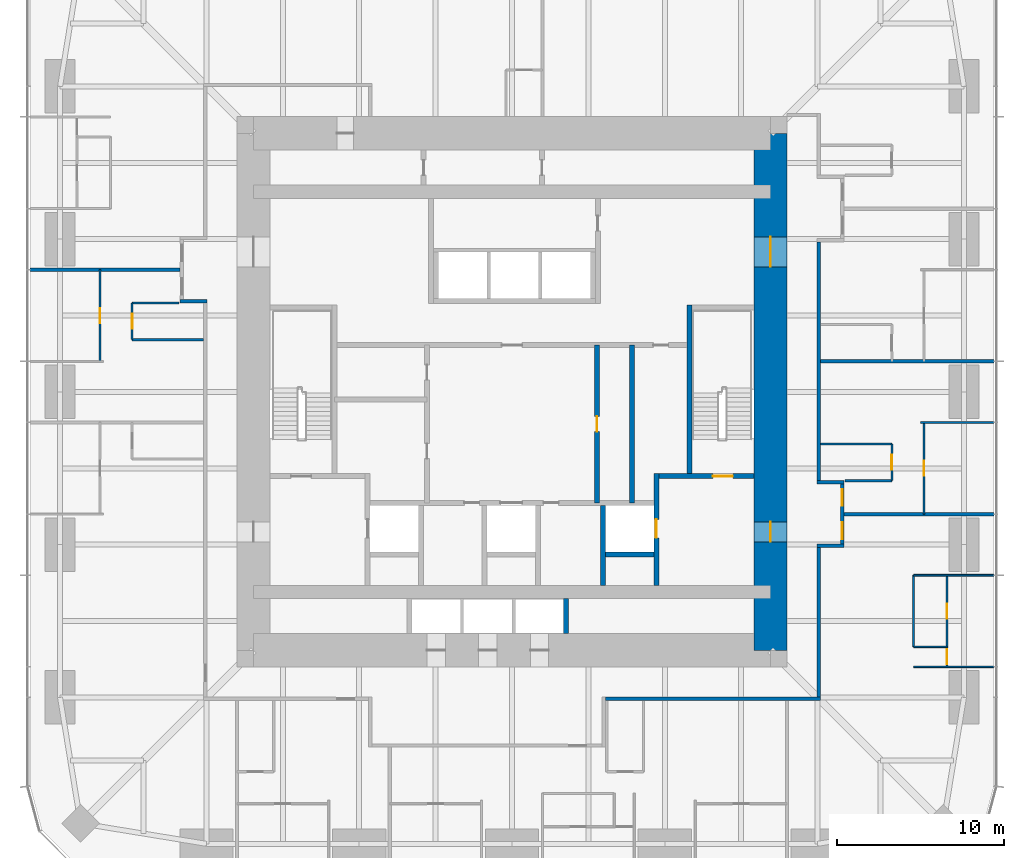
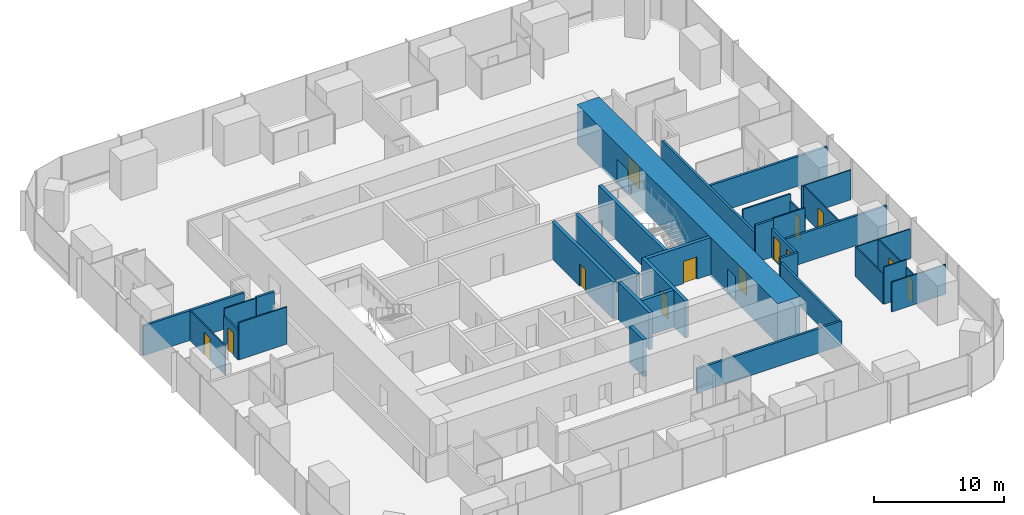
# One storey, part 10 of 13: 33 walls, 13 doors, 13 openings.
"""IFC4 building model written with IfcOpenShell, lengths in metres."""

from ifc_helpers import new_model, si_unit, direction, frame, frame_2d, origin, place, context, subcontext, project, spatial, rectangle, extrude, material, layer, layer_set, type_object, element, fill, save


model = new_model("IFC4")

# Units and contexts
model_context = context("Model", 3, precision=1e-05, world=origin(), true_north=direction((0.0, 1.0)))
body_context = subcontext(model_context, "Body", "Model", "MODEL_VIEW")
ifc_project = project(units=[si_unit("LENGTHUNIT", "METRE"), si_unit("AREAUNIT", "SQUARE_METRE"), si_unit("VOLUMEUNIT", "CUBIC_METRE"), si_unit("PLANEANGLEUNIT", "RADIAN"), si_unit("MASSUNIT", "GRAM", prefix="KILO")], contexts=[model_context])

# Site, building, storey
site_placement = place(None, origin())
site = spatial("IfcSite", under=ifc_project, at=site_placement, CompositionType="ELEMENT")
building_placement = place(site_placement, origin())
building = spatial("IfcBuilding", under=site, at=building_placement, Name="Khuree Lantern Residences", CompositionType="ELEMENT")
storey_placement = place(building_placement, frame((0.0, 0.0, 133.5)))
storey = spatial("IfcBuildingStorey", under=building, at=storey_placement, Name="L33", CompositionType="ELEMENT", Elevation=133.5)

# Wall, opening, door
ifc_material_1 = material(Name="Moisture-resistant gypsum board on steel studs", Category="steel")
ifc_layer_1 = layer(ifc_material_1, 0.125)
ifc_layer_set_1 = layer_set([ifc_layer_1], Name="BATHROOM WALL BTW125")
wall_type_1 = type_object("IfcWallType", Name="BATHROOM WALL BTW125", PredefinedType="PARTITIONING", material=ifc_layer_set_1)
wall_1_placement = place(storey_placement, frame((22.77978515625, -5.327880859375, 0.0), z_axis=(0.0, 0.0, 1.0), x_axis=(0.0, 1.0, 0.0)))
wall_1 = element("IfcWall", 1, at=wall_1_placement, inside=storey, type_object=wall_type_1, Name="L33 BATHROOM WALL 01", PredefinedType="PARTITIONING", context=body_context, shape_type="SweptSolid", body=[
    extrude(rectangle(XDim=2.199951171875, YDim=0.125, at=frame_2d((1.10009765625, 0.0))), origin(), (0.0, 0.0, 1.0), 2.81005859375),
])
opening_1_placement = place(wall_1_placement, frame((0.64990234375, 0.0, 0.0)))
opening_1 = element("IfcOpeningElement", 2, at=opening_1_placement, cuts=wall_1, Name="Opening 33-025", PredefinedType="OPENING", context=body_context, shape_type="SweptSolid", body=[
    extrude(rectangle(XDim=0.89990234375, YDim=2.10009765625, at=frame_2d((0.449951171875, 1.050048828125))), frame((0.0, 0.072509765625, 0.0), z_axis=(0.0, -1.0, 0.0), x_axis=(1.0, 0.0, 0.0)), (0.0, 0.0, 1.0), 0.14501953125),
])
ifc_material_2 = material(Name="Timber door leaf in hardwood frame", Category="wood")
door_type_1 = type_object("IfcDoorType", Name="BATHROOM DOOR 900X2100", OperationType="SINGLE_SWING_LEFT", PredefinedType="DOOR", material=ifc_material_2)
door_1_placement = place(opening_1_placement, origin())
door_1 = element("IfcDoor", 3, at=door_1_placement, inside=storey, type_object=door_type_1, Name="Bathroom door 33-025", OperationType="SINGLE_SWING_LEFT", OverallHeight=2.10009765625, OverallWidth=0.89990234375, PredefinedType="DOOR", context=body_context, shape_type="SweptSolid", body=[
    extrude(rectangle(XDim=0.89990234375, YDim=2.10009765625, at=frame_2d((0.449951171875, 1.050048828125))), frame((0.0, 0.02490234375, 0.0), z_axis=(0.0, -1.0, 0.0), x_axis=(1.0, 0.0, 0.0)), (0.0, 0.0, 1.0), 0.050048828125),
])
fill(opening_1, door_1)

# Walls
wall_2_placement = place(storey_placement, frame((19.969970703125, -5.327880859375, 0.0), z_axis=(0.0, 0.0, 1.0), x_axis=(1.0, 0.0, 0.0)))
element("IfcWall", 4, at=wall_2_placement, inside=storey, type_object=wall_type_1, Name="L33 BATHROOM WALL 01", PredefinedType="PARTITIONING", context=body_context, shape_type="SweptSolid", body=[
    extrude(rectangle(XDim=2.809814453125, YDim=0.125, at=frame_2d((1.40478515625, 0.0))), origin(), (0.0, 0.0, 1.0), 3.5),
])
wall_3_placement = place(storey_placement, frame((18.5, -3.1279296875, 0.0), z_axis=(0.0, 0.0, 1.0), x_axis=(1.0, 0.0, 0.0)))
element("IfcWall", 5, at=wall_3_placement, inside=storey, type_object=wall_type_1, Name="L33 BATHROOM WALL 01", PredefinedType="PARTITIONING", context=body_context, shape_type="SweptSolid", body=[
    extrude(rectangle(XDim=4.27978515625, YDim=0.125, at=frame_2d((2.139892578125, 0.0))), origin(), (0.0, 0.0, 1.0), 3.5),
])

# Wall, opening, door
wall_4_placement = place(storey_placement, frame((-22.77978515625, 5.327880859375, 0.0), z_axis=(0.0, 0.0, 1.0), x_axis=(0.0, -1.0, 0.0)))
wall_4 = element("IfcWall", 6, at=wall_4_placement, inside=storey, type_object=wall_type_1, Name="L33 BATHROOM WALL 05", PredefinedType="PARTITIONING", context=body_context, shape_type="SweptSolid", body=[
    extrude(rectangle(XDim=2.199951171875, YDim=0.125, at=frame_2d((1.10009765625, 0.0))), origin(), (0.0, 0.0, 1.0), 2.81005859375),
])
opening_2_placement = place(wall_4_placement, frame((0.64990234375, 0.0, 0.0)))
opening_2 = element("IfcOpeningElement", 7, at=opening_2_placement, cuts=wall_4, Name="Opening 33-041", PredefinedType="OPENING", context=body_context, shape_type="SweptSolid", body=[
    extrude(rectangle(XDim=0.89990234375, YDim=2.10009765625, at=frame_2d((0.449951171875, 1.050048828125))), frame((0.0, 0.072509765625, 0.0), z_axis=(0.0, -1.0, 0.0), x_axis=(1.0, 0.0, 0.0)), (0.0, 0.0, 1.0), 0.14501953125),
])
door_2_placement = place(opening_2_placement, origin())
door_2 = element("IfcDoor", 8, at=door_2_placement, inside=storey, type_object=door_type_1, Name="Bathroom door 33-041", OperationType="SINGLE_SWING_LEFT", OverallHeight=2.10009765625, OverallWidth=0.89990234375, PredefinedType="DOOR", context=body_context, shape_type="SweptSolid", body=[
    extrude(rectangle(XDim=0.89990234375, YDim=2.10009765625, at=frame_2d((0.449951171875, 1.050048828125))), frame((0.0, 0.02490234375, 0.0), z_axis=(0.0, -1.0, 0.0), x_axis=(1.0, 0.0, 0.0)), (0.0, 0.0, 1.0), 0.050048828125),
])
fill(opening_2, door_2)

# Walls
wall_5_placement = place(storey_placement, frame((-19.969970703125, 5.327880859375, 0.0), z_axis=(0.0, 0.0, 1.0), x_axis=(-1.0, 0.0, 0.0)))
element("IfcWall", 9, at=wall_5_placement, inside=storey, type_object=wall_type_1, Name="L33 BATHROOM WALL 05", PredefinedType="PARTITIONING", context=body_context, shape_type="SweptSolid", body=[
    extrude(rectangle(XDim=2.809814453125, YDim=0.125, at=frame_2d((1.40478515625, 0.0))), origin(), (0.0, 0.0, 1.0), 3.5),
])
wall_6_placement = place(storey_placement, frame((-18.5, 3.1279296875, 0.0), z_axis=(0.0, 0.0, 1.0), x_axis=(-1.0, 0.0, 0.0)))
element("IfcWall", 10, at=wall_6_placement, inside=storey, type_object=wall_type_1, Name="L33 BATHROOM WALL 05", PredefinedType="PARTITIONING", context=body_context, shape_type="SweptSolid", body=[
    extrude(rectangle(XDim=4.27978515625, YDim=0.125, at=frame_2d((2.139892578125, 0.0))), origin(), (0.0, 0.0, 1.0), 3.5),
])
wall_7_placement = place(storey_placement, frame((24.079833984375, -15.2880859375, 0.0), z_axis=(0.0, 0.0, 1.0), x_axis=(0.0, 1.0, 0.0)))
element("IfcWall", 11, at=wall_7_placement, inside=storey, type_object=wall_type_1, Name="L33 BATHROOM WALL 09", PredefinedType="PARTITIONING", context=body_context, shape_type="SweptSolid", body=[
    extrude(rectangle(XDim=4.296142578125, YDim=0.125, at=frame_2d((2.14794921875, 0.0))), origin(), (0.0, 0.0, 1.0), 2.81005859375),
])

# Wall, opening, door
ifc_material_3 = material(Name="Dense concrete blockwork", Category="masonry")
ifc_layer_2 = layer(ifc_material_3, 0.300048828125)
ifc_layer_set_2 = layer_set([ifc_layer_2], Name="CORE PARTITION WALL CPW300 EI 120")
wall_type_2 = type_object("IfcWallType", Name="CORE PARTITION WALL CPW300 EI 120", PredefinedType="PARTITIONING", material=ifc_layer_set_2)
wall_8_placement = place(storey_placement, frame((8.64990234375, -11.60009765625, 0.0), z_axis=(0.0, 0.0, 1.0), x_axis=(0.0, 1.0, 0.0)))
wall_8 = element("IfcWall", 12, at=wall_8_placement, inside=storey, type_object=wall_type_2, Name="L33 CORE WALL FL2E", PredefinedType="PARTITIONING", context=body_context, shape_type="SweptSolid", body=[
    extrude(rectangle(XDim=6.7001953125, YDim=0.300048828125, at=frame_2d((3.35009765625, 0.0))), origin(), (0.0, 0.0, 1.0), 3.5),
])
opening_3_placement = place(wall_8_placement, frame((2.85009765625, 0.0, 0.0)))
opening_3 = element("IfcOpeningElement", 13, at=opening_3_placement, cuts=wall_8, Name="Opening 33-008", PredefinedType="OPENING", context=body_context, shape_type="SweptSolid", body=[
    extrude(rectangle(XDim=1.10009765625, YDim=2.10009765625, at=frame_2d((0.550048828125, 1.050048828125))), frame((0.0, 0.16015625, 0.0), z_axis=(0.0, -1.0, 0.0), x_axis=(1.0, 0.0, 0.0)), (0.0, 0.0, 1.0), 0.320068359375),
])
ifc_material_4 = material(Name="Stainless steel lift landing door", Category="steel")
door_type_2 = type_object("IfcDoorType", Name="LIFT LANDING DOOR 1100X2100 E 120", OperationType="DOUBLE_DOOR_SLIDING", PredefinedType="DOOR", material=ifc_material_4)
door_3_placement = place(opening_3_placement, origin())
door_3 = element("IfcDoor", 14, at=door_3_placement, inside=storey, type_object=door_type_2, Name="Landing door FL2 33-008", OperationType="DOUBLE_DOOR_SLIDING", OverallHeight=2.10009765625, OverallWidth=1.10009765625, PredefinedType="DOOR", context=body_context, shape_type="SweptSolid", body=[
    extrude(rectangle(XDim=1.10009765625, YDim=2.10009765625, at=frame_2d((0.550048828125, 1.050048828125))), frame((0.0, 0.02490234375, 0.0), z_axis=(0.0, -1.0, 0.0), x_axis=(1.0, 0.0, 0.0)), (0.0, 0.0, 1.0), 0.050048828125),
])
fill(opening_3, door_3)

# Walls
wall_9_placement = place(storey_placement, frame((5.449951171875, -11.60009765625, 0.0), z_axis=(0.0, 0.0, 1.0), x_axis=(0.0, 1.0, 0.0)))
element("IfcWall", 15, at=wall_9_placement, inside=storey, type_object=wall_type_2, Name="L33 CORE WALL FL2W", PredefinedType="PARTITIONING", context=body_context, shape_type="SweptSolid", body=[
    extrude(rectangle(XDim=4.800048828125, YDim=0.300048828125, at=frame_2d((2.39990234375, 0.0))), origin(), (0.0, 0.0, 1.0), 3.5),
])
wall_10_placement = place(storey_placement, frame((5.60009765625, -9.75, 0.0), z_axis=(0.0, 0.0, 1.0), x_axis=(1.0, 0.0, 0.0)))
element("IfcWall", 16, at=wall_10_placement, inside=storey, type_object=wall_type_2, Name="L33 CORE WALL FL2S", PredefinedType="PARTITIONING", context=body_context, shape_type="SweptSolid", body=[
    extrude(rectangle(XDim=2.89990234375, YDim=0.300048828125, at=frame_2d((1.449951171875, 0.0))), origin(), (0.0, 0.0, 1.0), 3.5),
])
wall_11_placement = place(storey_placement, frame((3.25, -14.5, 0.0), z_axis=(0.0, 0.0, 1.0), x_axis=(0.0, 1.0, 0.0)))
element("IfcWall", 17, at=wall_11_placement, inside=storey, type_object=wall_type_2, Name="L33 CORE WALL PME", PredefinedType="PARTITIONING", context=body_context, shape_type="SweptSolid", body=[
    extrude(rectangle(XDim=2.10009765625, YDim=0.300048828125, at=frame_2d((1.050048828125, 0.0))), origin(), (0.0, 0.0, 1.0), 3.5),
])

# Wall, opening, door
wall_12_placement = place(storey_placement, frame((5.10009765625, -6.64990234375, 0.0), z_axis=(0.0, 0.0, 1.0), x_axis=(0.0, 1.0, 0.0)))
wall_12 = element("IfcWall", 18, at=wall_12_placement, inside=storey, type_object=wall_type_2, Name="L33 CORE WALL SVE", PredefinedType="PARTITIONING", context=body_context, shape_type="SweptSolid", body=[
    extrude(rectangle(XDim=9.449951171875, YDim=0.300048828125, at=frame_2d((4.72509765625, 0.0))), origin(), (0.0, 0.0, 1.0), 3.5),
])
opening_4_placement = place(wall_12_placement, frame((4.27490234375, 0.0, 0.0)))
opening_4 = element("IfcOpeningElement", 19, at=opening_4_placement, cuts=wall_12, Name="Opening 33-018", PredefinedType="OPENING", context=body_context, shape_type="SweptSolid", body=[
    extrude(rectangle(XDim=0.89990234375, YDim=2.10009765625, at=frame_2d((0.449951171875, 1.050048828125))), frame((0.0, 0.16015625, 0.0), z_axis=(0.0, -1.0, 0.0), x_axis=(1.0, 0.0, 0.0)), (0.0, 0.0, 1.0), 0.320068359375),
])
door_type_3 = type_object("IfcDoorType", Name="DOOR 900X2100", OperationType="SINGLE_SWING_LEFT", PredefinedType="DOOR", material=ifc_material_2)
door_4_placement = place(opening_4_placement, origin())
door_4 = element("IfcDoor", 20, at=door_4_placement, inside=storey, type_object=door_type_3, Name="Bulky waste store door 33-018", OperationType="SINGLE_SWING_LEFT", OverallHeight=2.10009765625, OverallWidth=0.89990234375, PredefinedType="DOOR", context=body_context, shape_type="SweptSolid", body=[
    extrude(rectangle(XDim=0.89990234375, YDim=2.10009765625, at=frame_2d((0.449951171875, 1.050048828125))), frame((0.0, 0.02490234375, 0.0), z_axis=(0.0, -1.0, 0.0), x_axis=(1.0, 0.0, 0.0)), (0.0, 0.0, 1.0), 0.050048828125),
])
fill(opening_4, door_4)

# Walls
wall_13_placement = place(storey_placement, frame((7.193115234375, -6.64990234375, 0.0), z_axis=(0.0, 0.0, 1.0), x_axis=(0.0, 1.0, 0.0)))
element("IfcWall", 21, at=wall_13_placement, inside=storey, type_object=wall_type_2, Name="L33 CORE WALL EV", PredefinedType="PARTITIONING", context=body_context, shape_type="SweptSolid", body=[
    extrude(rectangle(XDim=9.449951171875, YDim=0.300048828125, at=frame_2d((4.72509765625, 0.0))), origin(), (0.0, 0.0, 1.0), 3.5),
])
ifc_material_5 = material(Name="Gypsum board on steel studs", Category="steel")
ifc_layer_3 = layer(ifc_material_5, 0.199951171875)
ifc_layer_set_3 = layer_set([ifc_layer_3], Name="CORRIDOR WALL CRW200 EI 60")
wall_type_3 = type_object("IfcWallType", Name="CORRIDOR WALL CRW200 EI 60", PredefinedType="PARTITIONING", material=ifc_layer_set_3)
wall_14_placement = place(storey_placement, frame((18.39990234375, -18.300048828125, 0.0), z_axis=(0.0, 0.0, 1.0), x_axis=(0.0, 1.0, 0.0)))
element("IfcWall", 22, at=wall_14_placement, inside=storey, type_object=wall_type_3, Name="L33 CORRIDOR WALL EAST 1", PredefinedType="PARTITIONING", context=body_context, shape_type="SweptSolid", body=[
    extrude(rectangle(XDim=8.97216796875, YDim=0.199951171875, at=frame_2d((4.486083984375, 0.0))), origin(), (0.0, 0.0, 1.0), 2.300048828125),
])
wall_15_placement = place(storey_placement, frame((18.300048828125, -9.22802734375, 0.0), z_axis=(0.0, 0.0, 1.0), x_axis=(1.0, 0.0, 0.0)))
element("IfcWall", 23, at=wall_15_placement, inside=storey, type_object=wall_type_3, Name="L33 CORRIDOR ALCOVE WALL EAST", PredefinedType="PARTITIONING", context=body_context, shape_type="SweptSolid", body=[
    extrude(rectangle(XDim=1.599853515625, YDim=0.199951171875, at=frame_2d((0.7998046875, 0.0))), origin(), (0.0, 0.0, 1.0), 2.699951171875),
])
wall_16_placement = place(storey_placement, frame((18.300048828125, -5.427978515625, 0.0), z_axis=(0.0, 0.0, 1.0), x_axis=(1.0, 0.0, 0.0)))
element("IfcWall", 24, at=wall_16_placement, inside=storey, type_object=wall_type_3, Name="L33 CORRIDOR ALCOVE WALL EAST", PredefinedType="PARTITIONING", context=body_context, shape_type="SweptSolid", body=[
    extrude(rectangle(XDim=1.599853515625, YDim=0.199951171875, at=frame_2d((0.7998046875, 0.0))), origin(), (0.0, 0.0, 1.0), 3.5),
])

# Wall, openings, doors
wall_17_placement = place(storey_placement, frame((19.800048828125, -9.1279296875, 0.0), z_axis=(0.0, 0.0, 1.0), x_axis=(0.0, 1.0, 0.0)))
wall_17 = element("IfcWall", 25, at=wall_17_placement, inside=storey, type_object=wall_type_3, Name="L33 CORRIDOR ALCOVE WALL EAST", PredefinedType="PARTITIONING", context=body_context, shape_type="SweptSolid", body=[
    extrude(rectangle(XDim=3.599853515625, YDim=0.199951171875, at=frame_2d((1.7998046875, 0.0))), origin(), (0.0, 0.0, 1.0), 2.699951171875),
])
opening_5_placement = place(wall_17_placement, frame((2.300048828125, 0.0, 0.0)))
opening_5 = element("IfcOpeningElement", 26, at=opening_5_placement, cuts=wall_17, Name="Opening 33-026", PredefinedType="OPENING", context=body_context, shape_type="SweptSolid", body=[
    extrude(rectangle(XDim=1.0, YDim=2.199951171875, at=frame_2d((0.5, 1.10009765625))), frame((0.0, 0.10986328125, 0.0), z_axis=(0.0, -1.0, 0.0), x_axis=(1.0, 0.0, 0.0)), (0.0, 0.0, 1.0), 0.219970703125),
])
opening_6_placement = place(wall_17_placement, frame((0.300048828125, 0.0, 0.0)))
opening_6 = element("IfcOpeningElement", 27, at=opening_6_placement, cuts=wall_17, Name="Opening 33-057", PredefinedType="OPENING", context=body_context, shape_type="SweptSolid", body=[
    extrude(rectangle(XDim=1.0, YDim=2.199951171875, at=frame_2d((0.5, 1.10009765625))), frame((0.0, 0.10986328125, 0.0), z_axis=(0.0, -1.0, 0.0), x_axis=(1.0, 0.0, 0.0)), (0.0, 0.0, 1.0), 0.219970703125),
])
door_type_4 = type_object("IfcDoorType", Name="APARTMENT ENTRANCE DOOR 1000X2200 EI 30S", OperationType="SINGLE_SWING_LEFT", PredefinedType="DOOR", material=ifc_material_2)
door_5_placement = place(opening_6_placement, origin())
door_5 = element("IfcDoor", 28, at=door_5_placement, inside=storey, type_object=door_type_4, Name="Apartment 09 entrance door 33-057", OperationType="SINGLE_SWING_LEFT", OverallHeight=2.199951171875, OverallWidth=1.0, PredefinedType="DOOR", context=body_context, shape_type="SweptSolid", body=[
    extrude(rectangle(XDim=1.0, YDim=2.199951171875, at=frame_2d((0.5, 1.10009765625))), frame((0.0, 0.02490234375, 0.0), z_axis=(0.0, -1.0, 0.0), x_axis=(1.0, 0.0, 0.0)), (0.0, 0.0, 1.0), 0.050048828125),
])
fill(opening_6, door_5)
door_type_5 = type_object("IfcDoorType", Name="APARTMENT ENTRANCE DOOR 1000X2200 EI 30S RIGHT HAND", OperationType="SINGLE_SWING_RIGHT", PredefinedType="DOOR", material=ifc_material_2)
door_6_placement = place(opening_5_placement, origin())
door_6 = element("IfcDoor", 29, at=door_6_placement, inside=storey, type_object=door_type_5, Name="Apartment 01 entrance door 33-026", OperationType="SINGLE_SWING_RIGHT", OverallHeight=2.199951171875, OverallWidth=1.0, PredefinedType="DOOR", context=body_context, shape_type="SweptSolid", body=[
    extrude(rectangle(XDim=1.0, YDim=2.199951171875, at=frame_2d((0.5, 1.10009765625))), frame((0.0, 0.02490234375, 0.0), z_axis=(0.0, -1.0, 0.0), x_axis=(1.0, 0.0, 0.0)), (0.0, 0.0, 1.0), 0.050048828125),
])
fill(opening_5, door_6)

# Walls
wall_18_placement = place(storey_placement, frame((18.39990234375, -5.327880859375, 0.0), z_axis=(0.0, 0.0, 1.0), x_axis=(0.0, 1.0, 0.0)))
element("IfcWall", 30, at=wall_18_placement, inside=storey, type_object=wall_type_3, Name="L33 CORRIDOR WALL EAST 2", PredefinedType="PARTITIONING", context=body_context, shape_type="SweptSolid", body=[
    extrude(rectangle(XDim=14.31982421875, YDim=0.199951171875, at=frame_2d((7.159912109375, 0.0))), origin(), (0.0, 0.0, 1.0), 2.699951171875),
])
wall_19_placement = place(storey_placement, frame((-18.300048828125, 5.427978515625, 0.0), z_axis=(0.0, 0.0, 1.0), x_axis=(-1.0, 0.0, 0.0)))
element("IfcWall", 31, at=wall_19_placement, inside=storey, type_object=wall_type_3, Name="L33 CORRIDOR ALCOVE WALL WEST", PredefinedType="PARTITIONING", context=body_context, shape_type="SweptSolid", body=[
    extrude(rectangle(XDim=1.599853515625, YDim=0.199951171875, at=frame_2d((0.7998046875, 0.0))), origin(), (0.0, 0.0, 1.0), 3.5),
])
wall_20_placement = place(storey_placement, frame((18.5, -18.39990234375, 0.0), z_axis=(0.0, 0.0, 1.0), x_axis=(-1.0, 0.0, 0.0)))
element("IfcWall", 32, at=wall_20_placement, inside=storey, type_object=wall_type_3, Name="L33 CORRIDOR WALL SOUTH 1", PredefinedType="PARTITIONING", context=body_context, shape_type="SweptSolid", body=[
    extrude(rectangle(XDim=12.89990234375, YDim=0.199951171875, at=frame_2d((6.449951171875, 0.0))), origin(), (0.0, 0.0, 1.0), 2.300048828125),
])

# Wall, openings, doors
ifc_material_6 = material(Name="Concrete C70/85", Category="concrete")
ifc_layer_4 = layer(ifc_material_6, 2.0)
ifc_layer_set_4 = layer_set([ifc_layer_4], Name="CW2000-C70 CORE WALL C70 2000")
wall_type_4 = type_object("IfcWallType", Name="CW2000-C70 CORE WALL C70 2000", PredefinedType="SHEAR", material=ifc_layer_set_4)
wall_21_placement = place(storey_placement, frame((15.5, -15.5, -0.25), z_axis=(0.0, 0.0, 1.0), x_axis=(0.0, 1.0, 0.0)))
wall_21 = element("IfcWall", 33, at=wall_21_placement, inside=storey, type_object=wall_type_4, Name="Core wall E", PredefinedType="SHEAR", context=body_context, shape_type="SweptSolid", body=[
    extrude(rectangle(XDim=31.0, YDim=2.0, at=frame_2d((15.5, 0.0))), origin(), (0.0, 0.0, 1.0), 3.75),
])
opening_7_placement = place(wall_21_placement, frame((6.5, 0.0, 0.25)))
opening_7 = element("IfcOpeningElement", 34, at=opening_7_placement, cuts=wall_21, Name="Opening 33-005", PredefinedType="OPENING", context=body_context, shape_type="SweptSolid", body=[
    extrude(rectangle(XDim=1.199951171875, YDim=2.10009765625, at=frame_2d((0.60009765625, 1.050048828125))), frame((0.0, 1.010009765625, 0.0), z_axis=(0.0, -1.0, 0.0), x_axis=(1.0, 0.0, 0.0)), (0.0, 0.0, 1.0), 2.02001953125),
])
opening_8_placement = place(wall_21_placement, frame((23.0, 0.0, 0.25)))
opening_8 = element("IfcOpeningElement", 35, at=opening_8_placement, cuts=wall_21, Name="Opening 33-006", PredefinedType="OPENING", context=body_context, shape_type="SweptSolid", body=[
    extrude(rectangle(XDim=1.800048828125, YDim=2.10009765625, at=frame_2d((0.89990234375, 1.050048828125))), frame((0.0, 1.010009765625, 0.0), z_axis=(0.0, -1.0, 0.0), x_axis=(1.0, 0.0, 0.0)), (0.0, 0.0, 1.0), 2.02001953125),
])
ifc_material_7 = material(Name="Steel door leaf in steel frame", Category="steel")
door_type_6 = type_object("IfcDoorType", Name="LOBBY DOOR 1200X2100 EI 120", OperationType="SINGLE_SWING_LEFT", PredefinedType="DOOR", material=ifc_material_7)
door_7_placement = place(opening_7_placement, origin())
door_7 = element("IfcDoor", 36, at=door_7_placement, inside=storey, type_object=door_type_6, Name="Firefighting lobby door 33-005", OperationType="SINGLE_SWING_LEFT", OverallHeight=2.10009765625, OverallWidth=1.199951171875, PredefinedType="DOOR", context=body_context, shape_type="SweptSolid", body=[
    extrude(rectangle(XDim=1.199951171875, YDim=2.10009765625, at=frame_2d((0.60009765625, 1.050048828125))), frame((0.0, 0.02490234375, 0.0), z_axis=(0.0, -1.0, 0.0), x_axis=(1.0, 0.0, 0.0)), (0.0, 0.0, 1.0), 0.050048828125),
])
fill(opening_7, door_7)
door_type_7 = type_object("IfcDoorType", Name="LOBBY DOUBLE DOOR 1800X2100 EI 60", OperationType="DOUBLE_DOOR_SINGLE_SWING", PredefinedType="DOOR", material=ifc_material_7)
door_8_placement = place(opening_8_placement, origin())
door_8 = element("IfcDoor", 37, at=door_8_placement, inside=storey, type_object=door_type_7, Name="Lift lobby door 33-006", OperationType="DOUBLE_DOOR_SINGLE_SWING", OverallHeight=2.10009765625, OverallWidth=1.800048828125, PredefinedType="DOOR", context=body_context, shape_type="SweptSolid", body=[
    extrude(rectangle(XDim=1.800048828125, YDim=2.10009765625, at=frame_2d((0.89990234375, 1.050048828125))), frame((0.0, 0.02490234375, 0.0), z_axis=(0.0, -1.0, 0.0), x_axis=(1.0, 0.0, 0.0)), (0.0, 0.0, 1.0), 0.050048828125),
])
fill(opening_8, door_8)

# Walls
ifc_layer_5 = layer(ifc_material_5, 0.199951171875)
ifc_layer_set_5 = layer_set([ifc_layer_5], Name="DEMISING WALL DMW200 EI 90")
wall_type_5 = type_object("IfcWallType", Name="DEMISING WALL DMW200 EI 90", PredefinedType="PARTITIONING", material=ifc_layer_set_5)
wall_22_placement = place(storey_placement, frame((19.89990234375, -7.327880859375, 0.0), z_axis=(0.0, 0.0, 1.0), x_axis=(1.0, 0.0, 0.0)))
element("IfcWall", 38, at=wall_22_placement, inside=storey, type_object=wall_type_5, Name="L33 DEMISING WALL 01", PredefinedType="PARTITIONING", context=body_context, shape_type="SweptSolid", body=[
    extrude(rectangle(XDim=9.0, YDim=0.199951171875, at=frame_2d((4.5, 0.0))), origin(), (0.0, 0.0, 1.0), 2.81005859375),
])
wall_23_placement = place(storey_placement, frame((18.5, 1.83203125, 0.0), z_axis=(0.0, 0.0, 1.0), x_axis=(1.0, 0.0, 0.0)))
element("IfcWall", 39, at=wall_23_placement, inside=storey, type_object=wall_type_5, Name="L33 DEMISING WALL 02", PredefinedType="PARTITIONING", context=body_context, shape_type="SweptSolid", body=[
    extrude(rectangle(XDim=10.39990234375, YDim=0.199951171875, at=frame_2d((5.199951171875, 0.0))), origin(), (0.0, 0.0, 1.0), 2.81005859375),
])
wall_24_placement = place(storey_placement, frame((-19.89990234375, 7.327880859375, 0.0), z_axis=(0.0, 0.0, 1.0), x_axis=(-1.0, 0.0, 0.0)))
element("IfcWall", 40, at=wall_24_placement, inside=storey, type_object=wall_type_5, Name="L33 DEMISING WALL 05", PredefinedType="PARTITIONING", context=body_context, shape_type="SweptSolid", body=[
    extrude(rectangle(XDim=9.0, YDim=0.199951171875, at=frame_2d((4.5, 0.0))), origin(), (0.0, 0.0, 1.0), 2.81005859375),
])
ifc_layer_6 = layer(ifc_material_5, 0.10009765625)
ifc_layer_set_6 = layer_set([ifc_layer_6], Name="PARTITION PT100")
wall_type_6 = type_object("IfcWallType", Name="PARTITION PT100", PredefinedType="PARTITIONING", material=ifc_layer_set_6)
wall_25_placement = place(storey_placement, frame((24.5, -1.83203125, 0.0), z_axis=(0.0, 0.0, 1.0), x_axis=(1.0, 0.0, 0.0)))
element("IfcWall", 41, at=wall_25_placement, inside=storey, type_object=wall_type_6, Name="L33 PARTITION 01", PredefinedType="PARTITIONING", context=body_context, shape_type="SweptSolid", body=[
    extrude(rectangle(XDim=4.39990234375, YDim=0.10009765625, at=frame_2d((2.199951171875, 0.0))), origin(), (0.0, 0.0, 1.0), 2.81005859375),
])
for number, where, z_axis, x_axis, name in (
    (42, (24.079833984375, -16.488037109375, 0.0), (0.0, 0.0, 1.0), (1.0, 0.0, 0.0), "L33 PARTITION 09"),
    (43, (24.079833984375, -10.991943359375, 0.0), (0.0, 0.0, 1.0), (1.0, 0.0, 0.0), "L33 PARTITION 09"),
):
    element("IfcWall", number, at=place(storey_placement, frame(where, z_axis=z_axis, x_axis=x_axis)), inside=storey, type_object=wall_type_6, Name=name, PredefinedType="PARTITIONING", context=body_context, shape_type="SweptSolid", body=[
        extrude(rectangle(XDim=4.820068359375, YDim=0.10009765625, at=frame_2d((2.41015625, 0.0))), origin(), (0.0, 0.0, 1.0), 2.81005859375),
    ])

# Wall, opening, door
wall_26_placement = place(storey_placement, frame((24.699951171875, -7.327880859375, 0.0), z_axis=(0.0, 0.0, 1.0), x_axis=(0.0, 1.0, 0.0)))
wall_26 = element("IfcWall", 44, at=wall_26_placement, inside=storey, type_object=wall_type_6, Name="L33 PARTITION 01", PredefinedType="PARTITIONING", context=body_context, shape_type="SweptSolid", body=[
    extrude(rectangle(XDim=5.495849609375, YDim=0.10009765625, at=frame_2d((2.748046875, 0.0))), origin(), (0.0, 0.0, 1.0), 2.81005859375),
])
opening_9_placement = place(wall_26_placement, frame((2.298095703125, 0.0, 0.0)))
opening_9 = element("IfcOpeningElement", 45, at=opening_9_placement, cuts=wall_26, Name="Opening 33-024", PredefinedType="OPENING", context=body_context, shape_type="SweptSolid", body=[
    extrude(rectangle(XDim=0.89990234375, YDim=2.10009765625, at=frame_2d((0.449951171875, 1.050048828125))), frame((0.0, 0.06005859375, 0.0), z_axis=(0.0, -1.0, 0.0), x_axis=(1.0, 0.0, 0.0)), (0.0, 0.0, 1.0), 0.1201171875),
])
door_type_8 = type_object("IfcDoorType", Name="BEDROOM DOOR 900X2100", OperationType="SINGLE_SWING_LEFT", PredefinedType="DOOR", material=ifc_material_2)
door_9_placement = place(opening_9_placement, origin())
door_9 = element("IfcDoor", 46, at=door_9_placement, inside=storey, type_object=door_type_8, Name="Bedroom door 33-024", OperationType="SINGLE_SWING_LEFT", OverallHeight=2.10009765625, OverallWidth=0.89990234375, PredefinedType="DOOR", context=body_context, shape_type="SweptSolid", body=[
    extrude(rectangle(XDim=0.89990234375, YDim=2.10009765625, at=frame_2d((0.449951171875, 1.050048828125))), frame((0.0, 0.02490234375, 0.0), z_axis=(0.0, -1.0, 0.0), x_axis=(1.0, 0.0, 0.0)), (0.0, 0.0, 1.0), 0.050048828125),
])
fill(opening_9, door_9)

wall_27_placement = place(storey_placement, frame((-24.699951171875, 7.327880859375, 0.0), z_axis=(0.0, 0.0, 1.0), x_axis=(0.0, -1.0, 0.0)))
wall_27 = element("IfcWall", 47, at=wall_27_placement, inside=storey, type_object=wall_type_6, Name="L33 PARTITION 05", PredefinedType="PARTITIONING", context=body_context, shape_type="SweptSolid", body=[
    extrude(rectangle(XDim=5.495849609375, YDim=0.10009765625, at=frame_2d((2.748046875, 0.0))), origin(), (0.0, 0.0, 1.0), 2.81005859375),
])
opening_10_placement = place(wall_27_placement, frame((2.298095703125, 0.0, 0.0)))
opening_10 = element("IfcOpeningElement", 48, at=opening_10_placement, cuts=wall_27, Name="Opening 33-040", PredefinedType="OPENING", context=body_context, shape_type="SweptSolid", body=[
    extrude(rectangle(XDim=0.89990234375, YDim=2.10009765625, at=frame_2d((0.449951171875, 1.050048828125))), frame((0.0, 0.06005859375, 0.0), z_axis=(0.0, -1.0, 0.0), x_axis=(1.0, 0.0, 0.0)), (0.0, 0.0, 1.0), 0.1201171875),
])
door_10_placement = place(opening_10_placement, origin())
door_10 = element("IfcDoor", 49, at=door_10_placement, inside=storey, type_object=door_type_8, Name="Bedroom door 33-040", OperationType="SINGLE_SWING_LEFT", OverallHeight=2.10009765625, OverallWidth=0.89990234375, PredefinedType="DOOR", context=body_context, shape_type="SweptSolid", body=[
    extrude(rectangle(XDim=0.89990234375, YDim=2.10009765625, at=frame_2d((0.449951171875, 1.050048828125))), frame((0.0, 0.02490234375, 0.0), z_axis=(0.0, -1.0, 0.0), x_axis=(1.0, 0.0, 0.0)), (0.0, 0.0, 1.0), 0.050048828125),
])
fill(opening_10, door_10)

# Wall, openings, doors
wall_28_placement = place(storey_placement, frame((26.079833984375, -16.488037109375, 0.0), z_axis=(0.0, 0.0, 1.0), x_axis=(0.0, 1.0, 0.0)))
wall_28 = element("IfcWall", 50, at=wall_28_placement, inside=storey, type_object=wall_type_6, Name="L33 PARTITION 09", PredefinedType="PARTITIONING", context=body_context, shape_type="SweptSolid", body=[
    extrude(rectangle(XDim=5.49609375, YDim=0.10009765625, at=frame_2d((2.748046875, 0.0))), origin(), (0.0, 0.0, 1.0), 2.81005859375),
])
opening_11_placement = place(wall_28_placement, frame((0.14990234375, 0.0, 0.0)))
opening_11 = element("IfcOpeningElement", 51, at=opening_11_placement, cuts=wall_28, Name="Opening 33-055", PredefinedType="OPENING", context=body_context, shape_type="SweptSolid", body=[
    extrude(rectangle(XDim=0.89990234375, YDim=2.10009765625, at=frame_2d((0.449951171875, 1.050048828125))), frame((0.0, 0.06005859375, 0.0), z_axis=(0.0, -1.0, 0.0), x_axis=(1.0, 0.0, 0.0)), (0.0, 0.0, 1.0), 0.1201171875),
])
opening_12_placement = place(wall_28_placement, frame((2.89794921875, 0.0, 0.0)))
opening_12 = element("IfcOpeningElement", 52, at=opening_12_placement, cuts=wall_28, Name="Opening 33-056", PredefinedType="OPENING", context=body_context, shape_type="SweptSolid", body=[
    extrude(rectangle(XDim=0.89990234375, YDim=2.10009765625, at=frame_2d((0.449951171875, 1.050048828125))), frame((0.0, 0.06005859375, 0.0), z_axis=(0.0, -1.0, 0.0), x_axis=(1.0, 0.0, 0.0)), (0.0, 0.0, 1.0), 0.1201171875),
])
door_11_placement = place(opening_12_placement, origin())
door_11 = element("IfcDoor", 53, at=door_11_placement, inside=storey, type_object=door_type_1, Name="Bathroom door 33-056", OperationType="SINGLE_SWING_LEFT", OverallHeight=2.10009765625, OverallWidth=0.89990234375, PredefinedType="DOOR", context=body_context, shape_type="SweptSolid", body=[
    extrude(rectangle(XDim=0.89990234375, YDim=2.10009765625, at=frame_2d((0.449951171875, 1.050048828125))), frame((0.0, 0.02490234375, 0.0), z_axis=(0.0, -1.0, 0.0), x_axis=(1.0, 0.0, 0.0)), (0.0, 0.0, 1.0), 0.050048828125),
])
fill(opening_12, door_11)
door_12_placement = place(opening_11_placement, origin())
door_12 = element("IfcDoor", 54, at=door_12_placement, inside=storey, type_object=door_type_8, Name="Bedroom door 33-055", OperationType="SINGLE_SWING_LEFT", OverallHeight=2.10009765625, OverallWidth=0.89990234375, PredefinedType="DOOR", context=body_context, shape_type="SweptSolid", body=[
    extrude(rectangle(XDim=0.89990234375, YDim=2.10009765625, at=frame_2d((0.449951171875, 1.050048828125))), frame((0.0, 0.02490234375, 0.0), z_axis=(0.0, -1.0, 0.0), x_axis=(1.0, 0.0, 0.0)), (0.0, 0.0, 1.0), 0.050048828125),
])
fill(opening_11, door_12)

# Walls
wall_29_placement = place(storey_placement, frame((24.079833984375, -15.2880859375, 0.0), z_axis=(0.0, 0.0, 1.0), x_axis=(1.0, 0.0, 0.0)))
element("IfcWall", 55, at=wall_29_placement, inside=storey, type_object=wall_type_6, Name="L33 PARTITION 09", PredefinedType="PARTITIONING", context=body_context, shape_type="SweptSolid", body=[
    extrude(rectangle(XDim=2.0, YDim=0.10009765625, at=frame_2d((1.0, 0.0))), origin(), (0.0, 0.0, 1.0), 3.5),
])
ifc_material_8 = material(Name="Concrete C50/60", Category="concrete")
ifc_layer_7 = layer(ifc_material_8, 0.300048828125)
ifc_layer_set_7 = layer_set([ifc_layer_7], Name="STAIR WALL SRW300 C50/60 REI 240")
wall_type_7 = type_object("IfcWallType", Name="STAIR WALL SRW300 C50/60 REI 240", PredefinedType="SOLIDWALL", material=ifc_layer_set_7)
wall_30_placement = place(storey_placement, frame((10.64990234375, -4.89990234375, 0.0), z_axis=(0.0, 0.0, 1.0), x_axis=(0.0, 1.0, 0.0)))
element("IfcWall", 56, at=wall_30_placement, inside=storey, type_object=wall_type_7, Name="L33 STAIR WALL ST2E", PredefinedType="SOLIDWALL", context=body_context, shape_type="SweptSolid", body=[
    extrude(rectangle(XDim=10.099853515625, YDim=0.300048828125, at=frame_2d((5.0498046875, 0.0))), origin(), (0.0, 0.0, 1.0), 3.5),
])

# Wall, opening, door
wall_31_placement = place(storey_placement, frame((14.5, -5.050048828125, 0.0), z_axis=(0.0, 0.0, 1.0), x_axis=(-1.0, 0.0, 0.0)))
wall_31 = element("IfcWall", 57, at=wall_31_placement, inside=storey, type_object=wall_type_7, Name="L33 STAIR WALL ST2S", PredefinedType="SOLIDWALL", context=body_context, shape_type="SweptSolid", body=[
    extrude(rectangle(XDim=5.699951171875, YDim=0.300048828125, at=frame_2d((2.85009765625, 0.0))), origin(), (0.0, 0.0, 1.0), 3.5),
])
opening_13_placement = place(wall_31_placement, frame((1.25, 0.0, 0.0)))
opening_13 = element("IfcOpeningElement", 58, at=opening_13_placement, cuts=wall_31, Name="Opening 33-004", PredefinedType="OPENING", context=body_context, shape_type="SweptSolid", body=[
    extrude(rectangle(XDim=1.199951171875, YDim=2.10009765625, at=frame_2d((0.60009765625, 1.050048828125))), frame((0.0, 0.16015625, 0.0), z_axis=(0.0, -1.0, 0.0), x_axis=(1.0, 0.0, 0.0)), (0.0, 0.0, 1.0), 0.320068359375),
])
door_type_9 = type_object("IfcDoorType", Name="STAIR DOOR 1200X2100 EI 120", OperationType="SINGLE_SWING_LEFT", PredefinedType="DOOR", material=ifc_material_7)
door_13_placement = place(opening_13_placement, origin())
door_13 = element("IfcDoor", 59, at=door_13_placement, inside=storey, type_object=door_type_9, Name="Stair ST2 door 33-004", OperationType="SINGLE_SWING_LEFT", OverallHeight=2.10009765625, OverallWidth=1.199951171875, PredefinedType="DOOR", context=body_context, shape_type="SweptSolid", body=[
    extrude(rectangle(XDim=1.199951171875, YDim=2.10009765625, at=frame_2d((0.60009765625, 1.050048828125))), frame((0.0, 0.02490234375, 0.0), z_axis=(0.0, -1.0, 0.0), x_axis=(1.0, 0.0, 0.0)), (0.0, 0.0, 1.0), 0.050048828125),
])
fill(opening_13, door_13)

save(model, "model.ifc")
